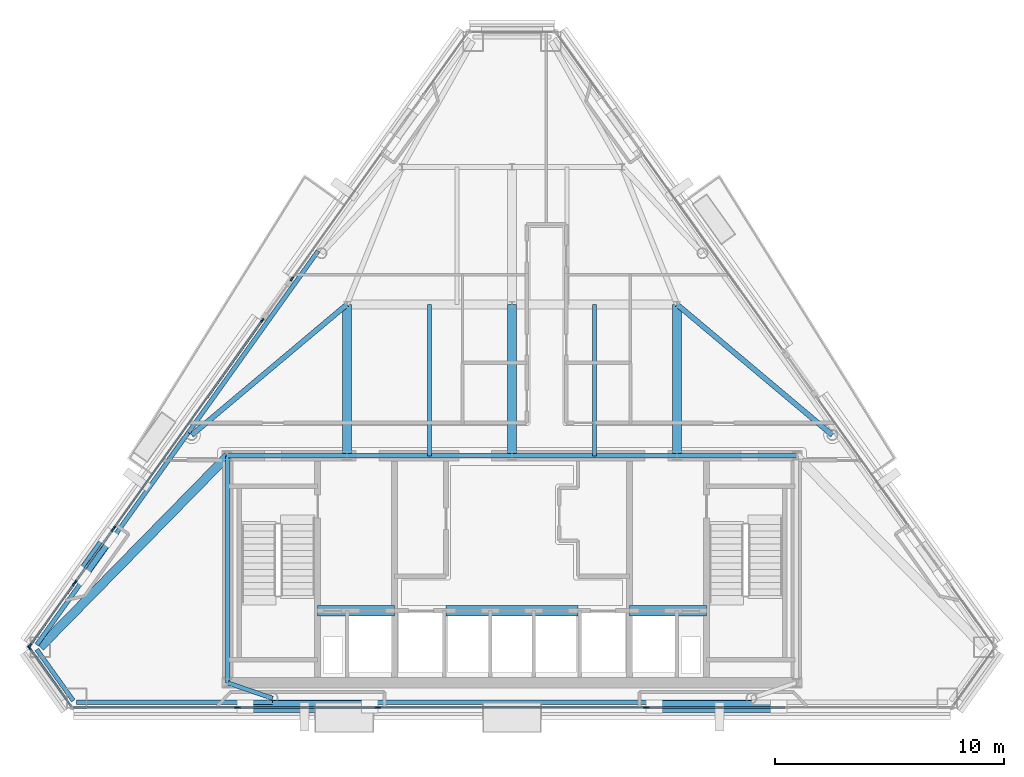
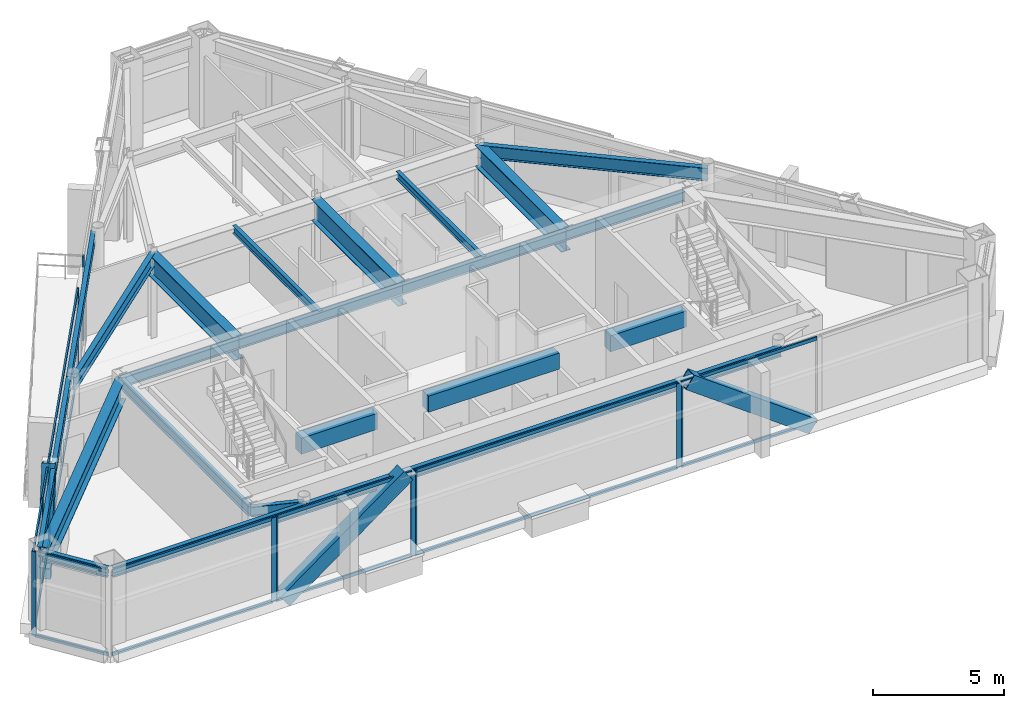
# One storey, part 4 of 12: 33 members, 22 beams, 9 elements without a shape of their own.
"""IFC4 building model written with IfcOpenShell, lengths in metres."""

from ifc_helpers import new_model, si_unit, direction, frame, origin, origin_2d, place, context, subcontext, project, spatial, rectangle, hollow_rectangle, i_section, extrude, material, layer, layer_set, material_profile, profile_set, type_object, element, aggregate, save


model = new_model("IFC4")

# Units and contexts
model_context = context("Model", 3, precision=1e-05, world=origin(), true_north=direction((0.0, 1.0)))
body_context = subcontext(model_context, "Body", "Model", "MODEL_VIEW")
ifc_project = project(units=[si_unit("LENGTHUNIT", "METRE"), si_unit("AREAUNIT", "SQUARE_METRE"), si_unit("VOLUMEUNIT", "CUBIC_METRE"), si_unit("PLANEANGLEUNIT", "RADIAN"), si_unit("MASSUNIT", "GRAM", prefix="KILO")], contexts=[model_context])

# Site, building, storey
site_placement = place(None, origin())
site = spatial("IfcSite", under=ifc_project, at=site_placement, CompositionType="ELEMENT")
building_placement = place(site_placement, origin())
building = spatial("IfcBuilding", under=site, at=building_placement, Name="Talgorran Terracotta Tower", CompositionType="ELEMENT")
storey_placement = place(building_placement, frame((0.0, 0.0, 285.0)))
storey = spatial("IfcBuildingStorey", under=building, at=storey_placement, Name="L75", CompositionType="ELEMENT", Elevation=285.0)

# Beams
ifc_material_1 = material(Name="Steel Grade 350 (350L0)", Category="steel")
ifc_material_profile_1 = material_profile(ifc_material_1, i_section(OverallWidth=0.39990234375, OverallDepth=1.0, WebThickness=0.01611328125, FlangeThickness=0.031005859375, at=origin_2d()), Name="1000WB296")
ifc_profile_set_1 = profile_set([ifc_material_profile_1], Name="Steel Grade 350 (350L0)")
beam_type_1 = type_object("IfcBeamType", Name="BM_1000WB296", PredefinedType="BEAM", material=ifc_profile_set_1)
for number, where, z_axis, x_axis, name in (
    (1, (-7.199951171875, -4.199951171875, 3.419921875), (0.0, 1.0, 0.0), (-1.0, 0.0, 0.0), "L75 Floor Girder G01"),
    (2, (0.0, -4.199951171875, 3.419921875), (0.0, 1.0, 0.0), (-1.0, 0.0, 0.0), "L75 Floor Girder G02"),
    (3, (7.199951171875, -4.199951171875, 3.419921875), (0.0, 1.0, 0.0), (-1.0, 0.0, 0.0), "L75 Floor Girder G03"),
):
    element("IfcBeam", number, at=place(storey_placement, frame(where, z_axis=z_axis, x_axis=x_axis)), inside=storey, type_object=beam_type_1, Name=name, PredefinedType="BEAM", context=body_context, shape_type="SweptSolid", body=[
        extrude(i_section(OverallWidth=0.39990234375, OverallDepth=1.0, WebThickness=0.01611328125, FlangeThickness=0.031005859375, at=origin_2d()), origin(), (0.0, 0.0, 1.0), 6.599853515625),
    ])
beam_1_placement = place(storey_placement, frame((-12.39990234375, -4.199951171875, 3.419921875), z_axis=(-0.700061173466, -0.714082875726, 0.0), x_axis=(0.714082875726, -0.700061173466, 0.0)))
element("IfcBeam", 4, at=beam_1_placement, inside=storey, type_object=beam_type_1, Name="L75 Floor Girder G17", PredefinedType="BEAM", context=body_context, shape_type="SweptSolid", body=[
    extrude(i_section(OverallWidth=0.39990234375, OverallDepth=1.0, WebThickness=0.01611328125, FlangeThickness=0.031005859375, at=origin_2d()), origin(), (0.0, 0.0, 1.0), 11.68310546875),
])
ifc_material_2 = material(Name="Steel S355 (300PLUS)", Category="steel")
ifc_material_profile_2 = material_profile(ifc_material_2, i_section(OverallWidth=0.22802734375, OverallDepth=0.60205078125, WebThickness=0.010498046875, FlangeThickness=0.014892578125, at=origin_2d()), Name="610UB101")
ifc_profile_set_2 = profile_set([ifc_material_profile_2], Name="Steel S355 (300PLUS)")
beam_type_2 = type_object("IfcBeamType", Name="BM_610UB101", PredefinedType="BEAM", material=ifc_profile_set_2)
for number, where, z_axis, x_axis, name in (
    (5, (-7.199951171875, 2.39990234375, 3.618896484375), (-0.765472083777, -0.643469104897, 0.0), (0.643469104897, -0.765472083777, 0.0), "L75 Floor Girder G06"),
    (6, (7.199951171875, 2.39990234375, 3.618896484375), (0.765472083777, -0.643469104897, 0.0), (0.643469104897, 0.765472083777, 0.0), "L75 Floor Girder G07"),
):
    element("IfcBeam", number, at=place(storey_placement, frame(where, z_axis=z_axis, x_axis=x_axis)), inside=storey, type_object=beam_type_2, Name=name, PredefinedType="BEAM", context=body_context, shape_type="SweptSolid", body=[
        extrude(i_section(OverallWidth=0.22802734375, OverallDepth=0.60205078125, WebThickness=0.010498046875, FlangeThickness=0.014892578125, at=origin_2d()), origin(), (0.0, 0.0, 1.0), 8.844970703125),
    ])
ifc_material_3 = material(Name="Concrete C50/60", Category="concrete")
ifc_material_profile_3 = material_profile(ifc_material_3, rectangle(XDim=0.449951171875, YDim=0.75, at=origin_2d()), Name="RCCB450X750")
ifc_profile_set_3 = profile_set([ifc_material_profile_3], Name="Concrete C50/60")
beam_type_3 = type_object("IfcBeamType", Name="BM_CB_450X750", PredefinedType="LINTEL", material=ifc_profile_set_3)
beam_2_placement = place(storey_placement, frame((-8.47998046875, -10.949951171875, 3.544921875), z_axis=(1.0, 0.0, 0.0), x_axis=(0.0, 1.0, 0.0)))
element("IfcBeam", 7, at=beam_2_placement, inside=storey, type_object=beam_type_3, Name="L75 Core Shear-Wall Coupling Beam CB1", PredefinedType="LINTEL", context=body_context, shape_type="SweptSolid", body=[
    extrude(rectangle(XDim=0.449951171875, YDim=0.75, at=origin_2d()), origin(), (0.0, 0.0, 1.0), 3.35986328125),
])
beam_3_placement = place(storey_placement, frame((-2.8798828125, -10.949951171875, 3.544921875), z_axis=(1.0, 0.0, 0.0), x_axis=(0.0, 1.0, 0.0)))
element("IfcBeam", 8, at=beam_3_placement, inside=storey, type_object=beam_type_3, Name="L75 Core Shear-Wall Coupling Beam CB2", PredefinedType="LINTEL", context=body_context, shape_type="SweptSolid", body=[
    extrude(rectangle(XDim=0.449951171875, YDim=0.75, at=origin_2d()), origin(), (0.0, 0.0, 1.0), 5.759765625),
])
beam_4_placement = place(storey_placement, frame((5.1201171875, -10.949951171875, 3.544921875), z_axis=(1.0, 0.0, 0.0), x_axis=(0.0, 1.0, 0.0)))
element("IfcBeam", 9, at=beam_4_placement, inside=storey, type_object=beam_type_3, Name="L75 Core Shear-Wall Coupling Beam CB3", PredefinedType="LINTEL", context=body_context, shape_type="SweptSolid", body=[
    extrude(rectangle(XDim=0.449951171875, YDim=0.75, at=origin_2d()), origin(), (0.0, 0.0, 1.0), 3.35986328125),
])
ifc_material_profile_4 = material_profile(ifc_material_2, i_section(OverallWidth=0.17138671875, OverallDepth=0.355712890625, WebThickness=0.00732421875, FlangeThickness=0.011474609375, at=origin_2d()), Name="360UB50.7")
ifc_profile_set_4 = profile_set([ifc_material_profile_4], Name="Steel S355 (300PLUS)")
beam_type_4 = type_object("IfcBeamType", Name="BM_JS_360UB51", PredefinedType="JOIST", material=ifc_profile_set_4)
for number, where, z_axis, x_axis, name in (
    (10, (-3.60009765625, -4.199951171875, 3.7421875), (0.0, 1.0, 0.0), (-1.0, 0.0, 0.0), "L75 Secondary Joist J01"),
    (11, (3.60009765625, -4.199951171875, 3.7421875), (0.0, 1.0, 0.0), (-1.0, 0.0, 0.0), "L75 Secondary Joist J02"),
):
    element("IfcBeam", number, at=place(storey_placement, frame(where, z_axis=z_axis, x_axis=x_axis)), inside=storey, type_object=beam_type_4, Name=name, PredefinedType="JOIST", context=body_context, shape_type="SweptSolid", body=[
        extrude(i_section(OverallWidth=0.17138671875, OverallDepth=0.355712890625, WebThickness=0.00732421875, FlangeThickness=0.011474609375, at=origin_2d()), origin(), (0.0, 0.0, 1.0), 6.599853515625),
    ])
ifc_material_profile_5 = material_profile(ifc_material_2, i_section(OverallWidth=0.18994140625, OverallDepth=0.45703125, WebThickness=0.009033203125, FlangeThickness=0.014404296875, at=origin_2d()), Name="460UB74.6")
ifc_profile_set_5 = profile_set([ifc_material_profile_5], Name="Steel S355 (300PLUS)")
beam_type_5 = type_object("IfcBeamType", Name="BM_SP_460UB74", PredefinedType="SPANDREL", material=ifc_profile_set_5)
beam_5_placement = place(storey_placement, frame((-20.725341796875, -12.6474609375, 3.69140625), z_axis=(0.581322401873, -0.813673315945, 0.0), x_axis=(0.813673315945, 0.581322401873, 0.0)))
element("IfcBeam", 12, at=beam_5_placement, inside=storey, type_object=beam_type_5, Name="L75 Perimeter Spandrel Beam MC1-MC2", PredefinedType="SPANDREL", context=body_context, shape_type="SweptSolid", body=[
    extrude(i_section(OverallWidth=0.18994140625, OverallDepth=0.45703125, WebThickness=0.009033203125, FlangeThickness=0.014404296875, at=origin_2d()), origin(), (0.0, 0.0, 1.0), 2.742431640625),
])
beam_6_placement = place(storey_placement, frame((-18.984619140625, -14.954345703125, 3.69140625), z_axis=(1.0, 0.0, 0.0), x_axis=(0.0, 1.0, 0.0)))
element("IfcBeam", 13, at=beam_6_placement, inside=storey, type_object=beam_type_5, Name="L75 Perimeter Spandrel Beam MC2-FC1", PredefinedType="SPANDREL", context=body_context, shape_type="SweptSolid", body=[
    extrude(i_section(OverallWidth=0.18994140625, OverallDepth=0.45703125, WebThickness=0.009033203125, FlangeThickness=0.014404296875, at=origin_2d()), origin(), (0.0, 0.0, 1.0), 8.54296875),
])
beam_7_placement = place(storey_placement, frame((-10.441650390625, -14.954345703125, 3.69140625), z_axis=(1.0, 0.0, 0.0), x_axis=(0.0, 1.0, 0.0)))
element("IfcBeam", 14, at=beam_7_placement, inside=storey, type_object=beam_type_5, Name="L75 Perimeter Spandrel Beam FC1-FC2", PredefinedType="SPANDREL", context=body_context, shape_type="SweptSolid", body=[
    extrude(i_section(OverallWidth=0.18994140625, OverallDepth=0.45703125, WebThickness=0.009033203125, FlangeThickness=0.014404296875, at=origin_2d()), origin(), (0.0, 0.0, 1.0), 20.88330078125),
])
beam_8_placement = place(storey_placement, frame((-8.45263671875, 4.742919921875, 3.69140625), z_axis=(-0.58124293337, -0.813730085721, 0.0), x_axis=(0.813730085721, -0.58124293337, 0.0)))
element("IfcBeam", 15, at=beam_8_placement, inside=storey, type_object=beam_type_5, Name="L75 Perimeter Spandrel Beam FC5-FC6", PredefinedType="SPANDREL", context=body_context, shape_type="SweptSolid", body=[
    extrude(i_section(OverallWidth=0.18994140625, OverallDepth=0.45703125, WebThickness=0.009033203125, FlangeThickness=0.014404296875, at=origin_2d()), origin(), (0.0, 0.0, 1.0), 9.7451171875),
])
beam_9_placement = place(storey_placement, frame((-14.116943359375, -3.18701171875, 3.69140625), z_axis=(-0.581260538156, -0.813717510431, 0.0), x_axis=(0.813717510431, -0.581260538156, 0.0)))
element("IfcBeam", 16, at=beam_9_placement, inside=storey, type_object=beam_type_5, Name="L75 Perimeter Spandrel Beam FC6-MC1", PredefinedType="SPANDREL", context=body_context, shape_type="SweptSolid", body=[
    extrude(i_section(OverallWidth=0.18994140625, OverallDepth=0.45703125, WebThickness=0.009033203125, FlangeThickness=0.014404296875, at=origin_2d()), origin(), (0.0, 0.0, 1.0), 11.369140625),
])
beam_10_placement = place(storey_placement, frame((-10.441650390625, -14.7744140625, 3.69140625), z_axis=(-0.945513197236, 0.325583773939, 0.0), x_axis=(-0.325583773939, -0.945513197236, 0.0)))
element("IfcBeam", 17, at=beam_10_placement, inside=storey, type_object=beam_type_5, Name="L75 South-West Core Tie Beam", PredefinedType="SPANDREL", context=body_context, shape_type="SweptSolid", body=[
    extrude(i_section(OverallWidth=0.18994140625, OverallDepth=0.45703125, WebThickness=0.009033203125, FlangeThickness=0.014404296875, at=origin_2d()), origin(), (0.0, 0.0, 1.0), 2.071044921875),
])
beam_11_placement = place(storey_placement, frame((-12.39990234375, -14.10009765625, 3.69140625), z_axis=(0.0, 1.0, 0.0), x_axis=(-1.0, 0.0, 0.0)))
element("IfcBeam", 18, at=beam_11_placement, inside=storey, type_object=beam_type_5, Name="L75 Core Frame Beam CFW", PredefinedType="SPANDREL", context=body_context, shape_type="SweptSolid", body=[
    extrude(i_section(OverallWidth=0.18994140625, OverallDepth=0.45703125, WebThickness=0.009033203125, FlangeThickness=0.014404296875, at=origin_2d()), origin(), (0.0, 0.0, 1.0), 9.900146484375),
])
beam_12_placement = place(storey_placement, frame((-12.39990234375, -4.199951171875, 3.69140625), z_axis=(1.0, 0.0, 0.0), x_axis=(0.0, 1.0, 0.0)))
element("IfcBeam", 19, at=beam_12_placement, inside=storey, type_object=beam_type_5, Name="L75 Core Frame Beam CFN1", PredefinedType="SPANDREL", context=body_context, shape_type="SweptSolid", body=[
    extrude(i_section(OverallWidth=0.18994140625, OverallDepth=0.45703125, WebThickness=0.009033203125, FlangeThickness=0.014404296875, at=origin_2d()), origin(), (0.0, 0.0, 1.0), 5.199951171875),
])
for number, where, z_axis, x_axis, name in (
    (20, (-7.199951171875, -4.199951171875, 3.69140625), (1.0, 0.0, 0.0), (0.0, 1.0, 0.0), "L75 Core Frame Beam CFN2"),
    (21, (0.0, -4.199951171875, 3.69140625), (1.0, 0.0, 0.0), (0.0, 1.0, 0.0), "L75 Core Frame Beam CFN3"),
):
    element("IfcBeam", number, at=place(storey_placement, frame(where, z_axis=z_axis, x_axis=x_axis)), inside=storey, type_object=beam_type_5, Name=name, PredefinedType="SPANDREL", context=body_context, shape_type="SweptSolid", body=[
        extrude(i_section(OverallWidth=0.18994140625, OverallDepth=0.45703125, WebThickness=0.009033203125, FlangeThickness=0.014404296875, at=origin_2d()), origin(), (0.0, 0.0, 1.0), 7.199951171875),
    ])
beam_13_placement = place(storey_placement, frame((7.199951171875, -4.199951171875, 3.69140625), z_axis=(1.0, 0.0, 0.0), x_axis=(0.0, 1.0, 0.0)))
element("IfcBeam", 22, at=beam_13_placement, inside=storey, type_object=beam_type_5, Name="L75 Core Frame Beam CFN4", PredefinedType="SPANDREL", context=body_context, shape_type="SweptSolid", body=[
    extrude(i_section(OverallWidth=0.18994140625, OverallDepth=0.45703125, WebThickness=0.009033203125, FlangeThickness=0.014404296875, at=origin_2d()), origin(), (0.0, 0.0, 1.0), 5.199951171875),
])

# Members
ifc_material_profile_6 = material_profile(ifc_material_1, hollow_rectangle(XDim=0.52001953125, YDim=0.659912109375, WallThickness=0.034912109375, at=origin_2d()), Name="WBOX660X520X35")
ifc_profile_set_6 = profile_set([ifc_material_profile_6], Name="Steel Grade 350 (350L0)")
member_type_1 = type_object("IfcMemberType", Name="MB_MEGA_660", PredefinedType="BRACE", material=ifc_profile_set_6)
for number, where, z_axis, x_axis, name in (
    (23, (-11.6298828125, -15.134521484375, -0.02490234375), (0.807341918546, 0.0, 0.590083914845), (0.0, 1.0, 0.0), "L75 Exterior Face Mega-Brace MB-3 (SWF)"),
    (24, (11.6298828125, -15.134521484375, -0.02490234375), (-0.807341918546, 0.0, 0.590083914845), (0.0, -1.0, 0.0), "L75 Exterior Face Mega-Brace MB-3 (SEF)"),
):
    element("IfcMember", number, at=place(storey_placement, frame(where, z_axis=z_axis, x_axis=x_axis)), inside=storey, type_object=member_type_1, Name=name, PredefinedType="BRACE", context=body_context, shape_type="SweptSolid", body=[
        extrude(hollow_rectangle(XDim=0.52001953125, YDim=0.659912109375, WallThickness=0.034912109375, at=origin_2d()), origin(), (0.0, 0.0, 1.0), 6.727783203125),
    ])
member_1_placement = place(storey_placement, frame((-18.788330078125, -9.4169921875, -0.02490234375), z_axis=(0.264620269875, 0.370512180063, 0.890335238658), x_axis=(-0.813765971301, 0.581192690897, 0.0)))
element("IfcMember", 25, at=member_1_placement, inside=storey, type_object=member_type_1, Name="L75 Exterior Face Mega-Brace MB-3 (NWL)", PredefinedType="BRACE", context=body_context, shape_type="SweptSolid", body=[
    extrude(hollow_rectangle(XDim=0.52001953125, YDim=0.659912109375, WallThickness=0.034912109375, at=origin_2d()), origin(), (0.0, 0.0, 1.0), 4.458984375),
])

# Curtain wall, member
ifc_material_4 = material(Name="High-Wind Unitised Glazing", Category="glass")
ifc_layer = layer(ifc_material_4, 0.2099609375, Name="CW_SYS3_RES_HIGH")
ifc_layer_set = layer_set([ifc_layer], Name="High-Wind Unitised Glazing")
curtain_wall_type = type_object("IfcCurtainWallType", Name="CW_SYS3_RES_HIGH", PredefinedType="NOTDEFINED", material=ifc_layer_set)
curtain_wall_1_placement = place(storey_placement, origin())
curtain_wall_1 = element("IfcCurtainWall", 26, at=curtain_wall_1_placement, inside=storey, type_object=curtain_wall_type, Name="CW-L75-F0", PredefinedType="NOTDEFINED")
ifc_material_5 = material(Name="Architectural Aluminium 6063-T6", Category="aluminium")
ifc_material_profile_7 = material_profile(ifc_material_5, rectangle(XDim=0.070068359375, YDim=0.199951171875, at=origin_2d()), Name="CWM70X200")
ifc_profile_set_7 = profile_set([ifc_material_profile_7], Name="Architectural Aluminium 6063-T6")
member_type_2 = type_object("IfcMemberType", Name="MUL_70X200", PredefinedType="MULLION", material=ifc_profile_set_7)
member_2_placement = place(storey_placement, frame((-21.050048828125, -12.5712890625, 0.0), z_axis=(0.0, 0.0, 1.0), x_axis=(0.813720935413, 0.58125574343, 0.0)))
member_2 = element("IfcMember", 27, at=member_2_placement, type_object=member_type_2, Name="CW-L75-0 mullion 1", PredefinedType="MULLION", context=body_context, shape_type="SweptSolid", body=[
    extrude(rectangle(XDim=0.070068359375, YDim=0.199951171875, at=origin_2d()), origin(), (0.0, 0.0, 1.0), 3.919921875),
])

curtain_wall_2_placement = place(storey_placement, origin())
curtain_wall_2 = element("IfcCurtainWall", 28, at=curtain_wall_2_placement, inside=storey, type_object=curtain_wall_type, Name="CW-L75-F1", PredefinedType="NOTDEFINED")
member_3_placement = place(storey_placement, frame((-12.014404296875, -15.17431640625, 0.0), z_axis=(0.0, 0.0, 1.0), x_axis=(0.0, 1.0, 0.0)))
member_3 = element("IfcMember", 29, at=member_3_placement, type_object=member_type_2, Name="CW-L75-1 mullion 2", PredefinedType="MULLION", context=body_context, shape_type="SweptSolid", body=[
    extrude(rectangle(XDim=0.070068359375, YDim=0.199951171875, at=origin_2d()), origin(), (0.0, 0.0, 1.0), 3.919921875),
])

# Curtain wall, members
curtain_wall_3_placement = place(storey_placement, origin())
curtain_wall_3 = element("IfcCurtainWall", 30, at=curtain_wall_3_placement, inside=storey, type_object=curtain_wall_type, Name="CW-L75-F1B", PredefinedType="NOTDEFINED")
member_4_placement = place(storey_placement, frame((-11.9345703125, -15.17431640625, 0.0), z_axis=(0.0, 0.0, 1.0), x_axis=(0.0, 1.0, 0.0)))
member_4 = element("IfcMember", 31, at=member_4_placement, type_object=member_type_2, Name="CW-L75-1B mullion 1", PredefinedType="MULLION", context=body_context, shape_type="SweptSolid", body=[
    extrude(rectangle(XDim=0.070068359375, YDim=0.199951171875, at=origin_2d()), origin(), (0.0, 0.0, 1.0), 3.919921875),
])
member_5_placement = place(storey_placement, frame((-5.8935546875, -15.17431640625, 0.0), z_axis=(0.0, 0.0, 1.0), x_axis=(0.0, 1.0, 0.0)))
member_5 = element("IfcMember", 32, at=member_5_placement, type_object=member_type_2, Name="CW-L75-1B mullion 2", PredefinedType="MULLION", context=body_context, shape_type="SweptSolid", body=[
    extrude(rectangle(XDim=0.070068359375, YDim=0.199951171875, at=origin_2d()), origin(), (0.0, 0.0, 1.0), 3.919921875),
])

curtain_wall_4_placement = place(storey_placement, origin())
curtain_wall_4 = element("IfcCurtainWall", 33, at=curtain_wall_4_placement, inside=storey, type_object=curtain_wall_type, Name="CW-L75-F1C", PredefinedType="NOTDEFINED")
member_6_placement = place(storey_placement, frame((-5.813720703125, -15.17431640625, 0.0), z_axis=(0.0, 0.0, 1.0), x_axis=(0.0, 1.0, 0.0)))
member_6 = element("IfcMember", 34, at=member_6_placement, type_object=member_type_2, Name="CW-L75-1C mullion 1", PredefinedType="MULLION", context=body_context, shape_type="SweptSolid", body=[
    extrude(rectangle(XDim=0.070068359375, YDim=0.199951171875, at=origin_2d()), origin(), (0.0, 0.0, 1.0), 3.919921875),
])
member_7_placement = place(storey_placement, frame((5.813720703125, -15.17431640625, 0.0), z_axis=(0.0, 0.0, 1.0), x_axis=(0.0, 1.0, 0.0)))
member_7 = element("IfcMember", 35, at=member_7_placement, type_object=member_type_2, Name="CW-L75-1C mullion 2", PredefinedType="MULLION", context=body_context, shape_type="SweptSolid", body=[
    extrude(rectangle(XDim=0.070068359375, YDim=0.199951171875, at=origin_2d()), origin(), (0.0, 0.0, 1.0), 3.919921875),
])

# Curtain wall, member
curtain_wall_5_placement = place(storey_placement, origin())
curtain_wall_5 = element("IfcCurtainWall", 36, at=curtain_wall_5_placement, inside=storey, type_object=curtain_wall_type, Name="CW-L75-F1D", PredefinedType="NOTDEFINED")
member_8_placement = place(storey_placement, frame((5.8935546875, -15.17431640625, 0.0), z_axis=(0.0, 0.0, 1.0), x_axis=(0.0, 1.0, 0.0)))
member_8 = element("IfcMember", 37, at=member_8_placement, type_object=member_type_2, Name="CW-L75-1D mullion 1", PredefinedType="MULLION", context=body_context, shape_type="SweptSolid", body=[
    extrude(rectangle(XDim=0.070068359375, YDim=0.199951171875, at=origin_2d()), origin(), (0.0, 0.0, 1.0), 3.919921875),
])

curtain_wall_6_placement = place(storey_placement, origin())
curtain_wall_6 = element("IfcCurtainWall", 38, at=curtain_wall_6_placement, inside=storey, type_object=curtain_wall_type, Name="CW-L75-F60C", PredefinedType="NOTDEFINED")
member_9_placement = place(storey_placement, frame((-9.59716796875, 3.51904296875, 0.0), z_axis=(0.0, 0.0, 1.0), x_axis=(0.813723720899, -0.581251843907, 0.0)))
member_9 = element("IfcMember", 39, at=member_9_placement, type_object=member_type_2, Name="CW-L75-60C mullion 2", PredefinedType="MULLION", context=body_context, shape_type="SweptSolid", body=[
    extrude(rectangle(XDim=0.070068359375, YDim=0.199951171875, at=origin_2d()), origin(), (0.0, 0.0, 1.0), 3.919921875),
])
aggregate(curtain_wall_6, [member_9])

# Curtain wall, members
curtain_wall_7_placement = place(storey_placement, origin())
curtain_wall_7 = element("IfcCurtainWall", 40, at=curtain_wall_7_placement, inside=storey, type_object=curtain_wall_type, Name="CW-L75-F61", PredefinedType="NOTDEFINED")
member_10_placement = place(storey_placement, frame((-10.8935546875, 1.704345703125, 0.0), z_axis=(0.0, 0.0, 1.0), x_axis=(0.813723813805, -0.581251713844, 0.0)))
member_10 = element("IfcMember", 41, at=member_10_placement, type_object=member_type_2, Name="CW-L75-61 mullion 1", PredefinedType="MULLION", context=body_context, shape_type="SweptSolid", body=[
    extrude(rectangle(XDim=0.070068359375, YDim=0.199951171875, at=origin_2d()), origin(), (0.0, 0.0, 1.0), 3.919921875),
])
member_11_placement = place(storey_placement, frame((-17.359619140625, -7.347900390625, 0.0), z_axis=(0.0, 0.0, 1.0), x_axis=(0.813723813805, -0.581251713844, 0.0)))
member_11 = element("IfcMember", 42, at=member_11_placement, type_object=member_type_2, Name="CW-L75-61 mullion 2", PredefinedType="MULLION", context=body_context, shape_type="SweptSolid", body=[
    extrude(rectangle(XDim=0.070068359375, YDim=0.199951171875, at=origin_2d()), origin(), (0.0, 0.0, 1.0), 3.919921875),
])

curtain_wall_8_placement = place(storey_placement, origin())
curtain_wall_8 = element("IfcCurtainWall", 43, at=curtain_wall_8_placement, inside=storey, type_object=curtain_wall_type, Name="CW-L75-F61B", PredefinedType="NOTDEFINED")
member_12_placement = place(storey_placement, frame((-17.406005859375, -7.4130859375, 0.0), z_axis=(0.0, 0.0, 1.0), x_axis=(0.813735794752, -0.581234940743, 0.0)))
member_12 = element("IfcMember", 44, at=member_12_placement, type_object=member_type_2, Name="CW-L75-61B mullion 1", PredefinedType="MULLION", context=body_context, shape_type="SweptSolid", body=[
    extrude(rectangle(XDim=0.070068359375, YDim=0.199951171875, at=origin_2d()), origin(), (0.0, 0.0, 1.0), 3.919921875),
])
member_13_placement = place(storey_placement, frame((-19.0556640625, -9.722412109375, 0.0), z_axis=(0.0, 0.0, 1.0), x_axis=(0.813735794752, -0.581234940743, 0.0)))
member_13 = element("IfcMember", 45, at=member_13_placement, type_object=member_type_2, Name="CW-L75-61B mullion 2", PredefinedType="MULLION", context=body_context, shape_type="SweptSolid", body=[
    extrude(rectangle(XDim=0.070068359375, YDim=0.199951171875, at=origin_2d()), origin(), (0.0, 0.0, 1.0), 3.919921875),
])

curtain_wall_9_placement = place(storey_placement, origin())
curtain_wall_9 = element("IfcCurtainWall", 46, at=curtain_wall_9_placement, inside=storey, type_object=curtain_wall_type, Name="CW-L75-F61C", PredefinedType="NOTDEFINED")
member_14_placement = place(storey_placement, frame((-19.10205078125, -9.78759765625, 0.0), z_axis=(0.0, 0.0, 1.0), x_axis=(0.813721480809, -0.58125497991, 0.0)))
member_14 = element("IfcMember", 47, at=member_14_placement, type_object=member_type_2, Name="CW-L75-61C mullion 1", PredefinedType="MULLION", context=body_context, shape_type="SweptSolid", body=[
    extrude(rectangle(XDim=0.070068359375, YDim=0.199951171875, at=origin_2d()), origin(), (0.0, 0.0, 1.0), 3.919921875),
])
member_15_placement = place(storey_placement, frame((-21.026611328125, -12.48193359375, 0.0), z_axis=(0.0, 0.0, 1.0), x_axis=(0.813721480809, -0.58125497991, 0.0)))
member_15 = element("IfcMember", 48, at=member_15_placement, type_object=member_type_2, Name="CW-L75-61C mullion 2", PredefinedType="MULLION", context=body_context, shape_type="SweptSolid", body=[
    extrude(rectangle(XDim=0.070068359375, YDim=0.199951171875, at=origin_2d()), origin(), (0.0, 0.0, 1.0), 3.919921875),
])

# Member
ifc_material_profile_8 = material_profile(ifc_material_5, rectangle(XDim=0.070068359375, YDim=0.159912109375, at=origin_2d()), Name="CWT70X160")
ifc_profile_set_8 = profile_set([ifc_material_profile_8], Name="Architectural Aluminium 6063-T6")
member_type_3 = type_object("IfcMemberType", Name="TRN_70X160", PredefinedType="USERDEFINED", material=ifc_profile_set_8)
member_16_placement = place(storey_placement, frame((-21.029541015625, -12.599853515625, 0.034912109375), z_axis=(0.581253122593, -0.813722807518, 0.0), x_axis=(0.813722807518, 0.581253122593, 0.0)))
member_16 = element("IfcMember", 49, at=member_16_placement, type_object=member_type_3, Name="CW-L75-0 transom 1.1", ObjectType="TRANSOM", PredefinedType="USERDEFINED", context=body_context, shape_type="SweptSolid", body=[
    extrude(rectangle(XDim=0.070068359375, YDim=0.159912109375, at=origin_2d()), origin(), (0.0, 0.0, 1.0), 3.093994140625),
])

member_17_placement = place(storey_placement, frame((-21.029541015625, -12.599853515625, 3.885009765625), z_axis=(0.581253122593, -0.813722807518, 0.0), x_axis=(0.813722807518, 0.581253122593, 0.0)))
member_17 = element("IfcMember", 50, at=member_17_placement, type_object=member_type_3, Name="CW-L75-0 transom 1.2", ObjectType="TRANSOM", PredefinedType="USERDEFINED", context=body_context, shape_type="SweptSolid", body=[
    extrude(rectangle(XDim=0.070068359375, YDim=0.159912109375, at=origin_2d()), origin(), (0.0, 0.0, 1.0), 3.093994140625),
])

aggregate(curtain_wall_1, [member_2, member_16, member_17])

member_18_placement = place(storey_placement, frame((-19.12060546875, -15.17431640625, 0.034912109375), z_axis=(1.0, 0.0, 0.0), x_axis=(0.0, 1.0, 0.0)))
member_18 = element("IfcMember", 51, at=member_18_placement, type_object=member_type_3, Name="CW-L75-1 transom 1.1", ObjectType="TRANSOM", PredefinedType="USERDEFINED", context=body_context, shape_type="SweptSolid", body=[
    extrude(rectangle(XDim=0.070068359375, YDim=0.159912109375, at=origin_2d()), origin(), (0.0, 0.0, 1.0), 7.071044921875),
])

member_19_placement = place(storey_placement, frame((-19.12060546875, -15.17431640625, 3.885009765625), z_axis=(1.0, 0.0, 0.0), x_axis=(0.0, 1.0, 0.0)))
member_19 = element("IfcMember", 52, at=member_19_placement, type_object=member_type_3, Name="CW-L75-1 transom 1.2", ObjectType="TRANSOM", PredefinedType="USERDEFINED", context=body_context, shape_type="SweptSolid", body=[
    extrude(rectangle(XDim=0.070068359375, YDim=0.159912109375, at=origin_2d()), origin(), (0.0, 0.0, 1.0), 7.071044921875),
])

aggregate(curtain_wall_2, [member_3, member_18, member_19])

member_20_placement = place(storey_placement, frame((-11.8994140625, -15.17431640625, 0.034912109375), z_axis=(1.0, 0.0, 0.0), x_axis=(0.0, 1.0, 0.0)))
member_20 = element("IfcMember", 53, at=member_20_placement, type_object=member_type_3, Name="CW-L75-1B transom 1.1", ObjectType="TRANSOM", PredefinedType="USERDEFINED", context=body_context, shape_type="SweptSolid", body=[
    extrude(rectangle(XDim=0.070068359375, YDim=0.159912109375, at=origin_2d()), origin(), (0.0, 0.0, 1.0), 5.970703125),
])

member_21_placement = place(storey_placement, frame((-11.8994140625, -15.17431640625, 3.885009765625), z_axis=(1.0, 0.0, 0.0), x_axis=(0.0, 1.0, 0.0)))
member_21 = element("IfcMember", 54, at=member_21_placement, type_object=member_type_3, Name="CW-L75-1B transom 1.2", ObjectType="TRANSOM", PredefinedType="USERDEFINED", context=body_context, shape_type="SweptSolid", body=[
    extrude(rectangle(XDim=0.070068359375, YDim=0.159912109375, at=origin_2d()), origin(), (0.0, 0.0, 1.0), 5.970703125),
])

aggregate(curtain_wall_3, [member_4, member_5, member_20, member_21])

member_22_placement = place(storey_placement, frame((-5.778564453125, -15.17431640625, 0.034912109375), z_axis=(1.0, 0.0, 0.0), x_axis=(0.0, 1.0, 0.0)))
member_22 = element("IfcMember", 55, at=member_22_placement, type_object=member_type_3, Name="CW-L75-1C transom 1.1", ObjectType="TRANSOM", PredefinedType="USERDEFINED", context=body_context, shape_type="SweptSolid", body=[
    extrude(rectangle(XDim=0.070068359375, YDim=0.159912109375, at=origin_2d()), origin(), (0.0, 0.0, 1.0), 11.55712890625),
])

member_23_placement = place(storey_placement, frame((-5.778564453125, -15.17431640625, 3.885009765625), z_axis=(1.0, 0.0, 0.0), x_axis=(0.0, 1.0, 0.0)))
member_23 = element("IfcMember", 56, at=member_23_placement, type_object=member_type_3, Name="CW-L75-1C transom 1.2", ObjectType="TRANSOM", PredefinedType="USERDEFINED", context=body_context, shape_type="SweptSolid", body=[
    extrude(rectangle(XDim=0.070068359375, YDim=0.159912109375, at=origin_2d()), origin(), (0.0, 0.0, 1.0), 11.55712890625),
])

aggregate(curtain_wall_4, [member_6, member_7, member_22, member_23])

member_24_placement = place(storey_placement, frame((5.9287109375, -15.17431640625, 0.034912109375), z_axis=(1.0, 0.0, 0.0), x_axis=(0.0, 1.0, 0.0)))
member_24 = element("IfcMember", 57, at=member_24_placement, type_object=member_type_3, Name="CW-L75-1D transom 1.1", ObjectType="TRANSOM", PredefinedType="USERDEFINED", context=body_context, shape_type="SweptSolid", body=[
    extrude(rectangle(XDim=0.070068359375, YDim=0.159912109375, at=origin_2d()), origin(), (0.0, 0.0, 1.0), 5.970703125),
])

member_25_placement = place(storey_placement, frame((5.9287109375, -15.17431640625, 3.885009765625), z_axis=(1.0, 0.0, 0.0), x_axis=(0.0, 1.0, 0.0)))
member_25 = element("IfcMember", 58, at=member_25_placement, type_object=member_type_3, Name="CW-L75-1D transom 1.2", ObjectType="TRANSOM", PredefinedType="USERDEFINED", context=body_context, shape_type="SweptSolid", body=[
    extrude(rectangle(XDim=0.070068359375, YDim=0.159912109375, at=origin_2d()), origin(), (0.0, 0.0, 1.0), 5.970703125),
])

aggregate(curtain_wall_5, [member_8, member_24, member_25])

member_26_placement = place(storey_placement, frame((-10.913818359375, 1.67578125, 0.034912109375), z_axis=(-0.581250728762, -0.813724517459, 0.0), x_axis=(0.813724517459, -0.581250728762, 0.0)))
member_26 = element("IfcMember", 59, at=member_26_placement, type_object=member_type_3, Name="CW-L75-61 transom 1.1", ObjectType="TRANSOM", PredefinedType="USERDEFINED", context=body_context, shape_type="SweptSolid", body=[
    extrude(rectangle(XDim=0.070068359375, YDim=0.159912109375, at=origin_2d()), origin(), (0.0, 0.0, 1.0), 11.05419921875),
])

member_27_placement = place(storey_placement, frame((-10.913818359375, 1.67578125, 3.885009765625), z_axis=(-0.581250728762, -0.813724517459, 0.0), x_axis=(0.813724517459, -0.581250728762, 0.0)))
member_27 = element("IfcMember", 60, at=member_27_placement, type_object=member_type_3, Name="CW-L75-61 transom 1.2", ObjectType="TRANSOM", PredefinedType="USERDEFINED", context=body_context, shape_type="SweptSolid", body=[
    extrude(rectangle(XDim=0.070068359375, YDim=0.159912109375, at=origin_2d()), origin(), (0.0, 0.0, 1.0), 11.05419921875),
])

aggregate(curtain_wall_7, [member_10, member_11, member_26, member_27])

member_28_placement = place(storey_placement, frame((-17.42626953125, -7.441650390625, 0.034912109375), z_axis=(-0.58127991218, -0.813703670691, 0.0), x_axis=(0.813703670691, -0.58127991218, 0.0)))
member_28 = element("IfcMember", 61, at=member_28_placement, type_object=member_type_3, Name="CW-L75-61B transom 1.1", ObjectType="TRANSOM", PredefinedType="USERDEFINED", context=body_context, shape_type="SweptSolid", body=[
    extrude(rectangle(XDim=0.070068359375, YDim=0.159912109375, at=origin_2d()), origin(), (0.0, 0.0, 1.0), 2.767822265625),
])

member_29_placement = place(storey_placement, frame((-17.42626953125, -7.441650390625, 3.885009765625), z_axis=(-0.58127991218, -0.813703670691, 0.0), x_axis=(0.813703670691, -0.58127991218, 0.0)))
member_29 = element("IfcMember", 62, at=member_29_placement, type_object=member_type_3, Name="CW-L75-61B transom 1.2", ObjectType="TRANSOM", PredefinedType="USERDEFINED", context=body_context, shape_type="SweptSolid", body=[
    extrude(rectangle(XDim=0.070068359375, YDim=0.159912109375, at=origin_2d()), origin(), (0.0, 0.0, 1.0), 2.767822265625),
])

aggregate(curtain_wall_8, [member_12, member_13, member_28, member_29])

member_30_placement = place(storey_placement, frame((-19.122314453125, -9.81591796875, 0.034912109375), z_axis=(-0.581266693913, -0.813713113171, 0.0), x_axis=(0.813713113171, -0.581266693913, 0.0)))
member_30 = element("IfcMember", 63, at=member_30_placement, type_object=member_type_3, Name="CW-L75-61C transom 1.1", ObjectType="TRANSOM", PredefinedType="USERDEFINED", context=body_context, shape_type="SweptSolid", body=[
    extrude(rectangle(XDim=0.070068359375, YDim=0.159912109375, at=origin_2d()), origin(), (0.0, 0.0, 1.0), 3.2412109375),
])

member_31_placement = place(storey_placement, frame((-19.122314453125, -9.81591796875, 3.885009765625), z_axis=(-0.581266693913, -0.813713113171, 0.0), x_axis=(0.813713113171, -0.581266693913, 0.0)))
member_31 = element("IfcMember", 64, at=member_31_placement, type_object=member_type_3, Name="CW-L75-61C transom 1.2", ObjectType="TRANSOM", PredefinedType="USERDEFINED", context=body_context, shape_type="SweptSolid", body=[
    extrude(rectangle(XDim=0.070068359375, YDim=0.159912109375, at=origin_2d()), origin(), (0.0, 0.0, 1.0), 3.2412109375),
])

aggregate(curtain_wall_9, [member_14, member_15, member_30, member_31])

save(model, "model.ifc")
